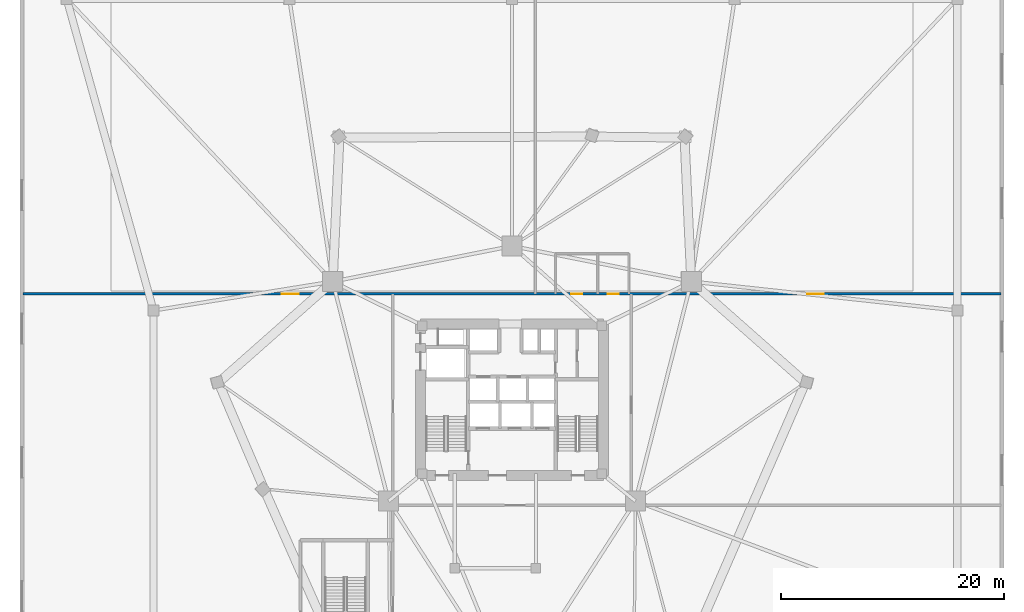
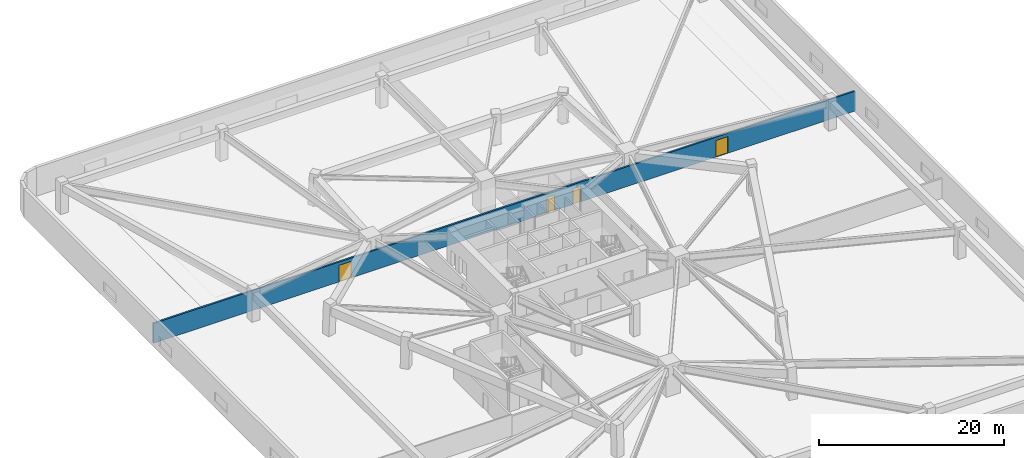
# One storey, part 6 of 10: 4 doors, 1 wall, 4 openings.
"""IFC4 building model written with IfcOpenShell, lengths in metres."""

from ifc_helpers import new_model, si_unit, direction, frame, frame_2d, origin, place, context, subcontext, project, spatial, rectangle, extrude, material, layer, layer_set, type_object, element, fill, save


model = new_model("IFC4")

# Units and contexts
model_context = context("Model", 3, precision=1e-05, world=origin(), true_north=direction((0.0, 1.0)))
body_context = subcontext(model_context, "Body", "Model", "MODEL_VIEW")
ifc_project = project(units=[si_unit("LENGTHUNIT", "METRE"), si_unit("AREAUNIT", "SQUARE_METRE"), si_unit("VOLUMEUNIT", "CUBIC_METRE"), si_unit("PLANEANGLEUNIT", "RADIAN"), si_unit("MASSUNIT", "GRAM", prefix="KILO")], contexts=[model_context])

# Site, building, storey
site_placement = place(None, origin())
site = spatial("IfcSite", under=ifc_project, at=site_placement, CompositionType="ELEMENT")
building_placement = place(site_placement, origin())
building = spatial("IfcBuilding", under=site, at=building_placement, Name="Talyreon Biosciences Tower", CompositionType="ELEMENT")
storey_placement = place(building_placement, frame((0.0, 0.0, 18.60009765625)))
storey = spatial("IfcBuildingStorey", under=building, at=storey_placement, Name="L04", CompositionType="ELEMENT", Elevation=18.60009765625)

# Wall, openings, doors
ifc_material_1 = material(Name="Gypsum fireboard acoustic stud", Category="gypsum")
ifc_layer = layer(ifc_material_1, 0.219970703125)
ifc_layer_set = layer_set([ifc_layer], Name="Gypsum fireboard acoustic stud")
wall_type = type_object("IfcWallType", Name="CorridorRatedPartition_220", PredefinedType="PARTITIONING", material=ifc_layer_set)
wall_placement = place(storey_placement, frame((22.0849609375, 77.5, 0.0), z_axis=(0.0, 0.0, 1.0), x_axis=(1.0, 0.0, 0.0)))
wall = element("IfcWall", 1, at=wall_placement, inside=storey, type_object=wall_type, Name="L04 Interior Wall IW-L04-N", PredefinedType="PARTITIONING", context=body_context, shape_type="SweptSolid", body=[
    extrude(rectangle(XDim=87.830078125, YDim=0.219970703125, at=frame_2d((43.9150390625, 0.0))), origin(), (0.0, 0.0, 1.0), 2.6298828125),
])
opening_1_placement = place(wall_placement, frame((23.240966796875, 0.0, 0.0)))
opening_1 = element("IfcOpeningElement", 2, at=opening_1_placement, cuts=wall, Name="Opening DR-L04-NW1", PredefinedType="OPENING", context=body_context, shape_type="SweptSolid", body=[
    extrude(rectangle(XDim=1.5, YDim=2.199951171875, at=frame_2d((0.75, 1.10009765625))), frame((0.0, 0.119873046875, 0.0), z_axis=(0.0, -1.0, 0.0), x_axis=(1.0, 0.0, 0.0)), (0.0, 0.0, 1.0), 0.239990234375),
])
opening_2_placement = place(wall_placement, frame((49.22509765625, 0.0, 0.0)))
opening_2 = element("IfcOpeningElement", 3, at=opening_2_placement, cuts=wall, Name="Opening DR-L04-WC", PredefinedType="OPENING", context=body_context, shape_type="SweptSolid", body=[
    extrude(rectangle(XDim=0.97998046875, YDim=2.10009765625, at=frame_2d((0.489990234375, 1.050048828125))), frame((0.0, 0.119873046875, 0.0), z_axis=(0.0, -1.0, 0.0), x_axis=(1.0, 0.0, 0.0)), (0.0, 0.0, 1.0), 0.239990234375),
])
opening_3_placement = place(wall_placement, frame((52.52490234375, 0.0, 0.0)))
opening_3 = element("IfcOpeningElement", 4, at=opening_3_placement, cuts=wall, Name="Opening DR-L04-AWC", PredefinedType="OPENING", context=body_context, shape_type="SweptSolid", body=[
    extrude(rectangle(XDim=0.97998046875, YDim=2.10009765625, at=frame_2d((0.489990234375, 1.050048828125))), frame((0.0, 0.119873046875, 0.0), z_axis=(0.0, -1.0, 0.0), x_axis=(1.0, 0.0, 0.0)), (0.0, 0.0, 1.0), 0.239990234375),
])
opening_4_placement = place(wall_placement, frame((70.4150390625, 0.0, 0.0)))
opening_4 = element("IfcOpeningElement", 5, at=opening_4_placement, cuts=wall, Name="Opening DR-L04-NW2", PredefinedType="OPENING", context=body_context, shape_type="SweptSolid", body=[
    extrude(rectangle(XDim=1.5, YDim=2.199951171875, at=frame_2d((0.75, 1.10009765625))), frame((0.0, 0.119873046875, 0.0), z_axis=(0.0, -1.0, 0.0), x_axis=(1.0, 0.0, 0.0)), (0.0, 0.0, 1.0), 0.239990234375),
])
ifc_material_2 = material(Name="Laminate moisture-resistant door", Category="wood")
door_type_1 = type_object("IfcDoorType", Name="AccessibleToiletDoor_980x2100", OperationType="NOTDEFINED", PredefinedType="DOOR", material=ifc_material_2)
door_1_placement = place(opening_2_placement, origin())
door_1 = element("IfcDoor", 6, at=door_1_placement, inside=storey, type_object=door_type_1, Name="L04 Interior Door DR-L04-WC", OperationType="SINGLE_SWING_LEFT", OverallHeight=2.10009765625, OverallWidth=0.97998046875, PredefinedType="DOOR", context=body_context, shape_type="SweptSolid", body=[
    extrude(rectangle(XDim=0.97998046875, YDim=2.10009765625, at=frame_2d((0.489990234375, 1.050048828125))), frame((0.0, 0.02490234375, 0.0), z_axis=(0.0, -1.0, 0.0), x_axis=(1.0, 0.0, 0.0)), (0.0, 0.0, 1.0), 0.050048828125),
])
fill(opening_2, door_1)
door_2_placement = place(opening_3_placement, origin())
door_2 = element("IfcDoor", 7, at=door_2_placement, inside=storey, type_object=door_type_1, Name="L04 Interior Door DR-L04-AWC", OperationType="SINGLE_SWING_RIGHT", OverallHeight=2.10009765625, OverallWidth=0.97998046875, PredefinedType="DOOR", context=body_context, shape_type="SweptSolid", body=[
    extrude(rectangle(XDim=0.97998046875, YDim=2.10009765625, at=frame_2d((0.489990234375, 1.050048828125))), frame((0.0, 0.02490234375, 0.0), z_axis=(0.0, -1.0, 0.0), x_axis=(1.0, 0.0, 0.0)), (0.0, 0.0, 1.0), 0.050048828125),
])
fill(opening_3, door_2)
ifc_material_3 = material(Name="Vision-panel steel laboratory fire door", Category="steel")
door_type_2 = type_object("IfcDoorType", Name="WetLabDoubleLeafDoor_1500x2200", OperationType="DOUBLE_DOOR_SINGLE_SWING", PredefinedType="DOOR", material=ifc_material_3)
door_3_placement = place(opening_1_placement, origin())
door_3 = element("IfcDoor", 8, at=door_3_placement, inside=storey, type_object=door_type_2, Name="L04 Interior Door DR-L04-NW1", OperationType="DOUBLE_DOOR_SINGLE_SWING", OverallHeight=2.199951171875, OverallWidth=1.5, PredefinedType="DOOR", context=body_context, shape_type="SweptSolid", body=[
    extrude(rectangle(XDim=1.5, YDim=2.199951171875, at=frame_2d((0.75, 1.10009765625))), frame((0.0, 0.02490234375, 0.0), z_axis=(0.0, -1.0, 0.0), x_axis=(1.0, 0.0, 0.0)), (0.0, 0.0, 1.0), 0.050048828125),
])
fill(opening_1, door_3)
door_4_placement = place(opening_4_placement, origin())
door_4 = element("IfcDoor", 9, at=door_4_placement, inside=storey, type_object=door_type_2, Name="L04 Interior Door DR-L04-NW2", OperationType="DOUBLE_DOOR_SINGLE_SWING", OverallHeight=2.199951171875, OverallWidth=1.5, PredefinedType="DOOR", context=body_context, shape_type="SweptSolid", body=[
    extrude(rectangle(XDim=1.5, YDim=2.199951171875, at=frame_2d((0.75, 1.10009765625))), frame((0.0, 0.02490234375, 0.0), z_axis=(0.0, -1.0, 0.0), x_axis=(1.0, 0.0, 0.0)), (0.0, 0.0, 1.0), 0.050048828125),
])
fill(opening_4, door_4)

save(model, "model.ifc")
